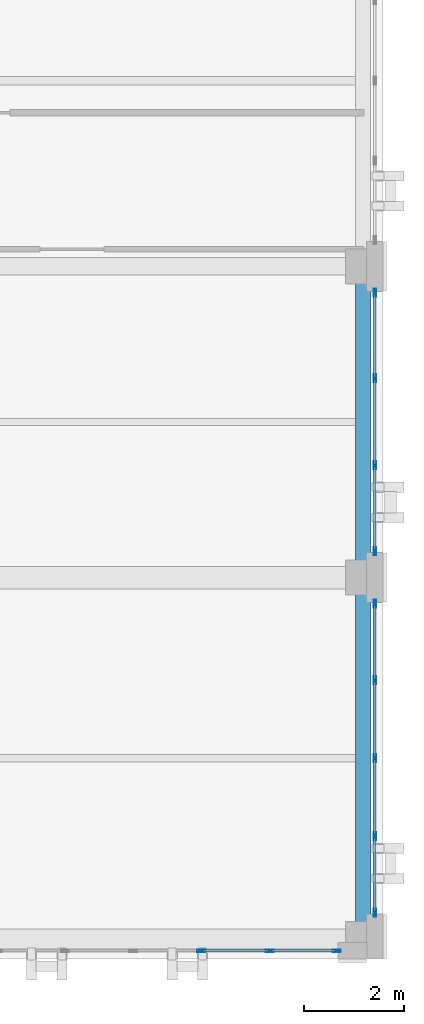
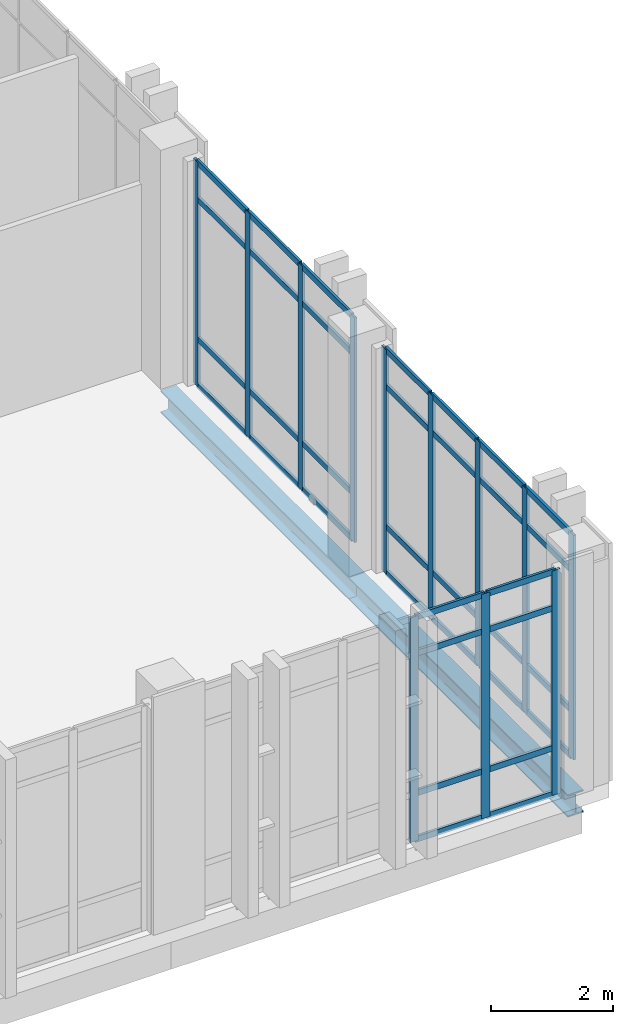
# One storey, part 127 of 189: 48 members, 2 beams, 3 elements without a shape of their own.
"""IFC4 building model written with IfcOpenShell, lengths in metres."""

from ifc_helpers import new_model, si_unit, direction, frame, origin, origin_2d, place, context, subcontext, project, spatial, hollow_rectangle, i_section, extrude, material, layer, layer_set, material_profile, profile_set, type_object, element, aggregate, save


model = new_model("IFC4")

# Units and contexts
model_context = context("Model", 3, precision=1e-05, world=origin(), true_north=direction((0.0, 1.0)))
body_context = subcontext(model_context, "Body", "Model", "MODEL_VIEW")
ifc_project = project(units=[si_unit("LENGTHUNIT", "METRE"), si_unit("AREAUNIT", "SQUARE_METRE"), si_unit("VOLUMEUNIT", "CUBIC_METRE"), si_unit("PLANEANGLEUNIT", "RADIAN"), si_unit("MASSUNIT", "GRAM", prefix="KILO")], contexts=[model_context])

# Site, building, storey
site_placement = place(None, origin())
site = spatial("IfcSite", under=ifc_project, at=site_placement, CompositionType="ELEMENT")
building_placement = place(site_placement, origin())
building = spatial("IfcBuilding", under=site, at=building_placement, Name="Qalavern Law Courts", CompositionType="ELEMENT")
storey_placement = place(building_placement, frame((0.0, 0.0, 5.39990234375)))
storey = spatial("IfcBuildingStorey", under=building, at=storey_placement, Name="L01", CompositionType="ELEMENT", Elevation=5.39990234375)

# Curtain wall, members
ifc_material_1 = material(Name="Anodised aluminium and insulated glazing", Category="aluminium")
ifc_layer = layer(ifc_material_1, 0.172119140625)
ifc_layer_set = layer_set([ifc_layer], Name="Anodised aluminium and insulated glazing")
curtain_wall_type = type_object("IfcCurtainWallType", Name="ENV-CW-COURT", PredefinedType="USERDEFINED", material=ifc_layer_set)
curtain_wall_1_placement = place(storey_placement, origin())
curtain_wall_1 = element("IfcCurtainWall", 1, at=curtain_wall_1_placement, inside=storey, type_object=curtain_wall_type, Name="V6 unitised curtain wall L01 south 7", ObjectType="UNITISED CURTAIN WALL", PredefinedType="USERDEFINED")
ifc_material_2 = material(Name="Anodised aluminium", Category="aluminium")
ifc_material_profile_1 = material_profile(ifc_material_2, hollow_rectangle(XDim=0.048095703125, YDim=0.159912109375, WallThickness=0.00390625, at=origin_2d()), Name="ALU MULLION 48x160")
ifc_profile_set_1 = profile_set([ifc_material_profile_1], Name="Anodised aluminium")
member_type_1 = type_object("IfcMemberType", Name="ENV-CWM-48x160", PredefinedType="MULLION", material=ifc_profile_set_1)
member_1_placement = place(storey_placement, frame((162.3798828125, 1.16259765625, 0.0), z_axis=(0.0, 0.0, 1.0), x_axis=(0.0, 1.0, 0.0)))
member_1 = element("IfcMember", 2, at=member_1_placement, type_object=member_type_1, Name="CW-03 mullion 4", PredefinedType="MULLION", context=body_context, shape_type="SweptSolid", body=[
    extrude(hollow_rectangle(XDim=0.048095703125, YDim=0.159912109375, WallThickness=0.00390625, at=origin_2d()), origin(), (0.0, 0.0, 1.0), 4.510009765625),
])
member_2_placement = place(storey_placement, frame((163.739990234375, 1.16259765625, 0.0), z_axis=(0.0, 0.0, 1.0), x_axis=(0.0, 1.0, 0.0)))
member_2 = element("IfcMember", 3, at=member_2_placement, type_object=member_type_1, Name="CW-03 mullion 5", PredefinedType="MULLION", context=body_context, shape_type="SweptSolid", body=[
    extrude(hollow_rectangle(XDim=0.048095703125, YDim=0.159912109375, WallThickness=0.00390625, at=origin_2d()), origin(), (0.0, 0.0, 1.0), 4.510009765625),
])
member_3_placement = place(storey_placement, frame((165.075927734375, 1.16259765625, 0.0), z_axis=(0.0, 0.0, 1.0), x_axis=(0.0, 1.0, 0.0)))
member_3 = element("IfcMember", 4, at=member_3_placement, type_object=member_type_1, Name="CW-03 mullion 6", PredefinedType="MULLION", context=body_context, shape_type="SweptSolid", body=[
    extrude(hollow_rectangle(XDim=0.048095703125, YDim=0.159912109375, WallThickness=0.00390625, at=origin_2d()), origin(), (0.0, 0.0, 1.0), 4.510009765625),
])

curtain_wall_2_placement = place(storey_placement, origin())
curtain_wall_2 = element("IfcCurtainWall", 5, at=curtain_wall_2_placement, inside=storey, type_object=curtain_wall_type, Name="V6 unitised curtain wall L01 east 1", ObjectType="UNITISED CURTAIN WALL", PredefinedType="USERDEFINED")
member_4_placement = place(storey_placement, frame((165.83740234375, 1.924072265625, 0.0), z_axis=(0.0, 0.0, 1.0), x_axis=(-1.0, 0.0, 0.0)))
member_4 = element("IfcMember", 6, at=member_4_placement, type_object=member_type_1, Name="CW-03 mullion 1", PredefinedType="MULLION", context=body_context, shape_type="SweptSolid", body=[
    extrude(hollow_rectangle(XDim=0.048095703125, YDim=0.159912109375, WallThickness=0.00390625, at=origin_2d()), origin(), (0.0, 0.0, 1.0), 4.510009765625),
])
member_5_placement = place(storey_placement, frame((165.83740234375, 3.449951171875, 0.0), z_axis=(0.0, 0.0, 1.0), x_axis=(-1.0, 0.0, 0.0)))
member_5 = element("IfcMember", 7, at=member_5_placement, type_object=member_type_1, Name="CW-03 mullion 2", PredefinedType="MULLION", context=body_context, shape_type="SweptSolid", body=[
    extrude(hollow_rectangle(XDim=0.048095703125, YDim=0.159912109375, WallThickness=0.00390625, at=origin_2d()), origin(), (0.0, 0.0, 1.0), 4.510009765625),
])
member_6_placement = place(storey_placement, frame((165.83740234375, 5.0, 0.0), z_axis=(0.0, 0.0, 1.0), x_axis=(-1.0, 0.0, 0.0)))
member_6 = element("IfcMember", 8, at=member_6_placement, type_object=member_type_1, Name="CW-03 mullion 3", PredefinedType="MULLION", context=body_context, shape_type="SweptSolid", body=[
    extrude(hollow_rectangle(XDim=0.048095703125, YDim=0.159912109375, WallThickness=0.00390625, at=origin_2d()), origin(), (0.0, 0.0, 1.0), 4.510009765625),
])
member_7_placement = place(storey_placement, frame((165.83740234375, 6.550048828125, 0.0), z_axis=(0.0, 0.0, 1.0), x_axis=(-1.0, 0.0, 0.0)))
member_7 = element("IfcMember", 9, at=member_7_placement, type_object=member_type_1, Name="CW-03 mullion 4", PredefinedType="MULLION", context=body_context, shape_type="SweptSolid", body=[
    extrude(hollow_rectangle(XDim=0.048095703125, YDim=0.159912109375, WallThickness=0.00390625, at=origin_2d()), origin(), (0.0, 0.0, 1.0), 4.510009765625),
])
member_8_placement = place(storey_placement, frame((165.83740234375, 8.075927734375, 0.0), z_axis=(0.0, 0.0, 1.0), x_axis=(-1.0, 0.0, 0.0)))
member_8 = element("IfcMember", 10, at=member_8_placement, type_object=member_type_1, Name="CW-03 mullion 5", PredefinedType="MULLION", context=body_context, shape_type="SweptSolid", body=[
    extrude(hollow_rectangle(XDim=0.048095703125, YDim=0.159912109375, WallThickness=0.00390625, at=origin_2d()), origin(), (0.0, 0.0, 1.0), 4.510009765625),
])

curtain_wall_3_placement = place(storey_placement, origin())
curtain_wall_3 = element("IfcCurtainWall", 11, at=curtain_wall_3_placement, inside=storey, type_object=curtain_wall_type, Name="V6 unitised curtain wall L01 east 2", ObjectType="UNITISED CURTAIN WALL", PredefinedType="USERDEFINED")
member_9_placement = place(storey_placement, frame((165.83740234375, 9.1240234375, 0.0), z_axis=(0.0, 0.0, 1.0), x_axis=(-1.0, 0.0, 0.0)))
member_9 = element("IfcMember", 12, at=member_9_placement, type_object=member_type_1, Name="CW-03 mullion 1", PredefinedType="MULLION", context=body_context, shape_type="SweptSolid", body=[
    extrude(hollow_rectangle(XDim=0.048095703125, YDim=0.159912109375, WallThickness=0.00390625, at=origin_2d()), origin(), (0.0, 0.0, 1.0), 4.510009765625),
])
member_10_placement = place(storey_placement, frame((165.83740234375, 10.833251953125, 0.0), z_axis=(0.0, 0.0, 1.0), x_axis=(-1.0, 0.0, 0.0)))
member_10 = element("IfcMember", 13, at=member_10_placement, type_object=member_type_1, Name="CW-03 mullion 2", PredefinedType="MULLION", context=body_context, shape_type="SweptSolid", body=[
    extrude(hollow_rectangle(XDim=0.048095703125, YDim=0.159912109375, WallThickness=0.00390625, at=origin_2d()), origin(), (0.0, 0.0, 1.0), 4.510009765625),
])
member_11_placement = place(storey_placement, frame((165.83740234375, 12.566650390625, 0.0), z_axis=(0.0, 0.0, 1.0), x_axis=(-1.0, 0.0, 0.0)))
member_11 = element("IfcMember", 14, at=member_11_placement, type_object=member_type_1, Name="CW-03 mullion 3", PredefinedType="MULLION", context=body_context, shape_type="SweptSolid", body=[
    extrude(hollow_rectangle(XDim=0.048095703125, YDim=0.159912109375, WallThickness=0.00390625, at=origin_2d()), origin(), (0.0, 0.0, 1.0), 4.510009765625),
])
member_12_placement = place(storey_placement, frame((165.83740234375, 14.27587890625, 0.0), z_axis=(0.0, 0.0, 1.0), x_axis=(-1.0, 0.0, 0.0)))
member_12 = element("IfcMember", 15, at=member_12_placement, type_object=member_type_1, Name="CW-03 mullion 4", PredefinedType="MULLION", context=body_context, shape_type="SweptSolid", body=[
    extrude(hollow_rectangle(XDim=0.048095703125, YDim=0.159912109375, WallThickness=0.00390625, at=origin_2d()), origin(), (0.0, 0.0, 1.0), 4.510009765625),
])

# Member
ifc_material_profile_2 = material_profile(ifc_material_2, hollow_rectangle(XDim=0.048095703125, YDim=0.1201171875, WallThickness=0.00390625, at=origin_2d()), Name="ALU TRANSOM 48x120")
ifc_profile_set_2 = profile_set([ifc_material_profile_2], Name="Anodised aluminium")
member_type_2 = type_object("IfcMemberType", Name="ENV-CWT-48x120", PredefinedType="USERDEFINED", material=ifc_profile_set_2)
member_13_placement = place(storey_placement, frame((162.404052734375, 1.16259765625, 0.024169921875), z_axis=(1.0, 0.0, 0.0), x_axis=(0.0, 1.0, 0.0)))
member_13 = element("IfcMember", 16, at=member_13_placement, type_object=member_type_2, Name="CW-03 transom 4.1", ObjectType="TRANSOM", PredefinedType="USERDEFINED", context=body_context, shape_type="SweptSolid", body=[
    extrude(hollow_rectangle(XDim=0.048095703125, YDim=0.1201171875, WallThickness=0.00390625, at=origin_2d()), origin(), (0.0, 0.0, 1.0), 1.31201171875),
])

member_14_placement = place(storey_placement, frame((162.404052734375, 1.16259765625, 0.9501953125), z_axis=(1.0, 0.0, 0.0), x_axis=(0.0, 1.0, 0.0)))
member_14 = element("IfcMember", 17, at=member_14_placement, type_object=member_type_2, Name="CW-03 transom 4.2", ObjectType="TRANSOM", PredefinedType="USERDEFINED", context=body_context, shape_type="SweptSolid", body=[
    extrude(hollow_rectangle(XDim=0.048095703125, YDim=0.1201171875, WallThickness=0.00390625, at=origin_2d()), origin(), (0.0, 0.0, 1.0), 1.31201171875),
])

member_15_placement = place(storey_placement, frame((162.404052734375, 1.16259765625, 3.760009765625), z_axis=(1.0, 0.0, 0.0), x_axis=(0.0, 1.0, 0.0)))
member_15 = element("IfcMember", 18, at=member_15_placement, type_object=member_type_2, Name="CW-03 transom 4.3", ObjectType="TRANSOM", PredefinedType="USERDEFINED", context=body_context, shape_type="SweptSolid", body=[
    extrude(hollow_rectangle(XDim=0.048095703125, YDim=0.1201171875, WallThickness=0.00390625, at=origin_2d()), origin(), (0.0, 0.0, 1.0), 1.31201171875),
])

member_16_placement = place(storey_placement, frame((162.404052734375, 1.16259765625, 4.486083984375), z_axis=(1.0, 0.0, 0.0), x_axis=(0.0, 1.0, 0.0)))
member_16 = element("IfcMember", 19, at=member_16_placement, type_object=member_type_2, Name="CW-03 transom 4.4", ObjectType="TRANSOM", PredefinedType="USERDEFINED", context=body_context, shape_type="SweptSolid", body=[
    extrude(hollow_rectangle(XDim=0.048095703125, YDim=0.1201171875, WallThickness=0.00390625, at=origin_2d()), origin(), (0.0, 0.0, 1.0), 1.31201171875),
])

member_17_placement = place(storey_placement, frame((163.763916015625, 1.16259765625, 0.024169921875), z_axis=(1.0, 0.0, 0.0), x_axis=(0.0, 1.0, 0.0)))
member_17 = element("IfcMember", 20, at=member_17_placement, type_object=member_type_2, Name="CW-03 transom 5.1", ObjectType="TRANSOM", PredefinedType="USERDEFINED", context=body_context, shape_type="SweptSolid", body=[
    extrude(hollow_rectangle(XDim=0.048095703125, YDim=0.1201171875, WallThickness=0.00390625, at=origin_2d()), origin(), (0.0, 0.0, 1.0), 1.2880859375),
])

member_18_placement = place(storey_placement, frame((163.763916015625, 1.16259765625, 0.9501953125), z_axis=(1.0, 0.0, 0.0), x_axis=(0.0, 1.0, 0.0)))
member_18 = element("IfcMember", 21, at=member_18_placement, type_object=member_type_2, Name="CW-03 transom 5.2", ObjectType="TRANSOM", PredefinedType="USERDEFINED", context=body_context, shape_type="SweptSolid", body=[
    extrude(hollow_rectangle(XDim=0.048095703125, YDim=0.1201171875, WallThickness=0.00390625, at=origin_2d()), origin(), (0.0, 0.0, 1.0), 1.2880859375),
])

member_19_placement = place(storey_placement, frame((163.763916015625, 1.16259765625, 3.760009765625), z_axis=(1.0, 0.0, 0.0), x_axis=(0.0, 1.0, 0.0)))
member_19 = element("IfcMember", 22, at=member_19_placement, type_object=member_type_2, Name="CW-03 transom 5.3", ObjectType="TRANSOM", PredefinedType="USERDEFINED", context=body_context, shape_type="SweptSolid", body=[
    extrude(hollow_rectangle(XDim=0.048095703125, YDim=0.1201171875, WallThickness=0.00390625, at=origin_2d()), origin(), (0.0, 0.0, 1.0), 1.2880859375),
])

member_20_placement = place(storey_placement, frame((163.763916015625, 1.16259765625, 4.486083984375), z_axis=(1.0, 0.0, 0.0), x_axis=(0.0, 1.0, 0.0)))
member_20 = element("IfcMember", 23, at=member_20_placement, type_object=member_type_2, Name="CW-03 transom 5.4", ObjectType="TRANSOM", PredefinedType="USERDEFINED", context=body_context, shape_type="SweptSolid", body=[
    extrude(hollow_rectangle(XDim=0.048095703125, YDim=0.1201171875, WallThickness=0.00390625, at=origin_2d()), origin(), (0.0, 0.0, 1.0), 1.2880859375),
])

aggregate(curtain_wall_1, [member_1, member_2, member_3, member_13, member_14, member_15, member_16, member_17, member_18, member_19, member_20])

member_21_placement = place(storey_placement, frame((165.83740234375, 1.947998046875, 0.024169921875), z_axis=(0.0, 1.0, 0.0), x_axis=(-1.0, 0.0, 0.0)))
member_21 = element("IfcMember", 24, at=member_21_placement, type_object=member_type_2, Name="CW-03 transom 1.1", ObjectType="TRANSOM", PredefinedType="USERDEFINED", context=body_context, shape_type="SweptSolid", body=[
    extrude(hollow_rectangle(XDim=0.048095703125, YDim=0.1201171875, WallThickness=0.00390625, at=origin_2d()), origin(), (0.0, 0.0, 1.0), 1.47802734375),
])

member_22_placement = place(storey_placement, frame((165.83740234375, 1.947998046875, 0.9501953125), z_axis=(0.0, 1.0, 0.0), x_axis=(-1.0, 0.0, 0.0)))
member_22 = element("IfcMember", 25, at=member_22_placement, type_object=member_type_2, Name="CW-03 transom 1.2", ObjectType="TRANSOM", PredefinedType="USERDEFINED", context=body_context, shape_type="SweptSolid", body=[
    extrude(hollow_rectangle(XDim=0.048095703125, YDim=0.1201171875, WallThickness=0.00390625, at=origin_2d()), origin(), (0.0, 0.0, 1.0), 1.47802734375),
])

member_23_placement = place(storey_placement, frame((165.83740234375, 1.947998046875, 3.760009765625), z_axis=(0.0, 1.0, 0.0), x_axis=(-1.0, 0.0, 0.0)))
member_23 = element("IfcMember", 26, at=member_23_placement, type_object=member_type_2, Name="CW-03 transom 1.3", ObjectType="TRANSOM", PredefinedType="USERDEFINED", context=body_context, shape_type="SweptSolid", body=[
    extrude(hollow_rectangle(XDim=0.048095703125, YDim=0.1201171875, WallThickness=0.00390625, at=origin_2d()), origin(), (0.0, 0.0, 1.0), 1.47802734375),
])

member_24_placement = place(storey_placement, frame((165.83740234375, 1.947998046875, 4.486083984375), z_axis=(0.0, 1.0, 0.0), x_axis=(-1.0, 0.0, 0.0)))
member_24 = element("IfcMember", 27, at=member_24_placement, type_object=member_type_2, Name="CW-03 transom 1.4", ObjectType="TRANSOM", PredefinedType="USERDEFINED", context=body_context, shape_type="SweptSolid", body=[
    extrude(hollow_rectangle(XDim=0.048095703125, YDim=0.1201171875, WallThickness=0.00390625, at=origin_2d()), origin(), (0.0, 0.0, 1.0), 1.47802734375),
])

member_25_placement = place(storey_placement, frame((165.83740234375, 3.47412109375, 0.024169921875), z_axis=(0.0, 1.0, 0.0), x_axis=(-1.0, 0.0, 0.0)))
member_25 = element("IfcMember", 28, at=member_25_placement, type_object=member_type_2, Name="CW-03 transom 2.1", ObjectType="TRANSOM", PredefinedType="USERDEFINED", context=body_context, shape_type="SweptSolid", body=[
    extrude(hollow_rectangle(XDim=0.048095703125, YDim=0.1201171875, WallThickness=0.00390625, at=origin_2d()), origin(), (0.0, 0.0, 1.0), 1.501953125),
])

member_26_placement = place(storey_placement, frame((165.83740234375, 3.47412109375, 0.9501953125), z_axis=(0.0, 1.0, 0.0), x_axis=(-1.0, 0.0, 0.0)))
member_26 = element("IfcMember", 29, at=member_26_placement, type_object=member_type_2, Name="CW-03 transom 2.2", ObjectType="TRANSOM", PredefinedType="USERDEFINED", context=body_context, shape_type="SweptSolid", body=[
    extrude(hollow_rectangle(XDim=0.048095703125, YDim=0.1201171875, WallThickness=0.00390625, at=origin_2d()), origin(), (0.0, 0.0, 1.0), 1.501953125),
])

member_27_placement = place(storey_placement, frame((165.83740234375, 3.47412109375, 3.760009765625), z_axis=(0.0, 1.0, 0.0), x_axis=(-1.0, 0.0, 0.0)))
member_27 = element("IfcMember", 30, at=member_27_placement, type_object=member_type_2, Name="CW-03 transom 2.3", ObjectType="TRANSOM", PredefinedType="USERDEFINED", context=body_context, shape_type="SweptSolid", body=[
    extrude(hollow_rectangle(XDim=0.048095703125, YDim=0.1201171875, WallThickness=0.00390625, at=origin_2d()), origin(), (0.0, 0.0, 1.0), 1.501953125),
])

member_28_placement = place(storey_placement, frame((165.83740234375, 3.47412109375, 4.486083984375), z_axis=(0.0, 1.0, 0.0), x_axis=(-1.0, 0.0, 0.0)))
member_28 = element("IfcMember", 31, at=member_28_placement, type_object=member_type_2, Name="CW-03 transom 2.4", ObjectType="TRANSOM", PredefinedType="USERDEFINED", context=body_context, shape_type="SweptSolid", body=[
    extrude(hollow_rectangle(XDim=0.048095703125, YDim=0.1201171875, WallThickness=0.00390625, at=origin_2d()), origin(), (0.0, 0.0, 1.0), 1.501953125),
])

member_29_placement = place(storey_placement, frame((165.83740234375, 5.02392578125, 0.024169921875), z_axis=(0.0, 1.0, 0.0), x_axis=(-1.0, 0.0, 0.0)))
member_29 = element("IfcMember", 32, at=member_29_placement, type_object=member_type_2, Name="CW-03 transom 3.1", ObjectType="TRANSOM", PredefinedType="USERDEFINED", context=body_context, shape_type="SweptSolid", body=[
    extrude(hollow_rectangle(XDim=0.048095703125, YDim=0.1201171875, WallThickness=0.00390625, at=origin_2d()), origin(), (0.0, 0.0, 1.0), 1.501953125),
])

member_30_placement = place(storey_placement, frame((165.83740234375, 5.02392578125, 0.9501953125), z_axis=(0.0, 1.0, 0.0), x_axis=(-1.0, 0.0, 0.0)))
member_30 = element("IfcMember", 33, at=member_30_placement, type_object=member_type_2, Name="CW-03 transom 3.2", ObjectType="TRANSOM", PredefinedType="USERDEFINED", context=body_context, shape_type="SweptSolid", body=[
    extrude(hollow_rectangle(XDim=0.048095703125, YDim=0.1201171875, WallThickness=0.00390625, at=origin_2d()), origin(), (0.0, 0.0, 1.0), 1.501953125),
])

member_31_placement = place(storey_placement, frame((165.83740234375, 5.02392578125, 3.760009765625), z_axis=(0.0, 1.0, 0.0), x_axis=(-1.0, 0.0, 0.0)))
member_31 = element("IfcMember", 34, at=member_31_placement, type_object=member_type_2, Name="CW-03 transom 3.3", ObjectType="TRANSOM", PredefinedType="USERDEFINED", context=body_context, shape_type="SweptSolid", body=[
    extrude(hollow_rectangle(XDim=0.048095703125, YDim=0.1201171875, WallThickness=0.00390625, at=origin_2d()), origin(), (0.0, 0.0, 1.0), 1.501953125),
])

member_32_placement = place(storey_placement, frame((165.83740234375, 5.02392578125, 4.486083984375), z_axis=(0.0, 1.0, 0.0), x_axis=(-1.0, 0.0, 0.0)))
member_32 = element("IfcMember", 35, at=member_32_placement, type_object=member_type_2, Name="CW-03 transom 3.4", ObjectType="TRANSOM", PredefinedType="USERDEFINED", context=body_context, shape_type="SweptSolid", body=[
    extrude(hollow_rectangle(XDim=0.048095703125, YDim=0.1201171875, WallThickness=0.00390625, at=origin_2d()), origin(), (0.0, 0.0, 1.0), 1.501953125),
])

member_33_placement = place(storey_placement, frame((165.83740234375, 6.573974609375, 0.024169921875), z_axis=(0.0, 1.0, 0.0), x_axis=(-1.0, 0.0, 0.0)))
member_33 = element("IfcMember", 36, at=member_33_placement, type_object=member_type_2, Name="CW-03 transom 4.1", ObjectType="TRANSOM", PredefinedType="USERDEFINED", context=body_context, shape_type="SweptSolid", body=[
    extrude(hollow_rectangle(XDim=0.048095703125, YDim=0.1201171875, WallThickness=0.00390625, at=origin_2d()), origin(), (0.0, 0.0, 1.0), 1.47802734375),
])

member_34_placement = place(storey_placement, frame((165.83740234375, 6.573974609375, 0.9501953125), z_axis=(0.0, 1.0, 0.0), x_axis=(-1.0, 0.0, 0.0)))
member_34 = element("IfcMember", 37, at=member_34_placement, type_object=member_type_2, Name="CW-03 transom 4.2", ObjectType="TRANSOM", PredefinedType="USERDEFINED", context=body_context, shape_type="SweptSolid", body=[
    extrude(hollow_rectangle(XDim=0.048095703125, YDim=0.1201171875, WallThickness=0.00390625, at=origin_2d()), origin(), (0.0, 0.0, 1.0), 1.47802734375),
])

member_35_placement = place(storey_placement, frame((165.83740234375, 6.573974609375, 3.760009765625), z_axis=(0.0, 1.0, 0.0), x_axis=(-1.0, 0.0, 0.0)))
member_35 = element("IfcMember", 38, at=member_35_placement, type_object=member_type_2, Name="CW-03 transom 4.3", ObjectType="TRANSOM", PredefinedType="USERDEFINED", context=body_context, shape_type="SweptSolid", body=[
    extrude(hollow_rectangle(XDim=0.048095703125, YDim=0.1201171875, WallThickness=0.00390625, at=origin_2d()), origin(), (0.0, 0.0, 1.0), 1.47802734375),
])

member_36_placement = place(storey_placement, frame((165.83740234375, 6.573974609375, 4.486083984375), z_axis=(0.0, 1.0, 0.0), x_axis=(-1.0, 0.0, 0.0)))
member_36 = element("IfcMember", 39, at=member_36_placement, type_object=member_type_2, Name="CW-03 transom 4.4", ObjectType="TRANSOM", PredefinedType="USERDEFINED", context=body_context, shape_type="SweptSolid", body=[
    extrude(hollow_rectangle(XDim=0.048095703125, YDim=0.1201171875, WallThickness=0.00390625, at=origin_2d()), origin(), (0.0, 0.0, 1.0), 1.47802734375),
])

aggregate(curtain_wall_2, [member_4, member_5, member_6, member_7, member_8, member_21, member_22, member_23, member_24, member_25, member_26, member_27, member_28, member_29, member_30, member_31, member_32, member_33, member_34, member_35, member_36])

member_37_placement = place(storey_placement, frame((165.83740234375, 9.14794921875, 0.024169921875), z_axis=(0.0, 1.0, 0.0), x_axis=(-1.0, 0.0, 0.0)))
member_37 = element("IfcMember", 40, at=member_37_placement, type_object=member_type_2, Name="CW-03 transom 1.1", ObjectType="TRANSOM", PredefinedType="USERDEFINED", context=body_context, shape_type="SweptSolid", body=[
    extrude(hollow_rectangle(XDim=0.048095703125, YDim=0.1201171875, WallThickness=0.00390625, at=origin_2d()), origin(), (0.0, 0.0, 1.0), 1.661376953125),
])

member_38_placement = place(storey_placement, frame((165.83740234375, 9.14794921875, 0.9501953125), z_axis=(0.0, 1.0, 0.0), x_axis=(-1.0, 0.0, 0.0)))
member_38 = element("IfcMember", 41, at=member_38_placement, type_object=member_type_2, Name="CW-03 transom 1.2", ObjectType="TRANSOM", PredefinedType="USERDEFINED", context=body_context, shape_type="SweptSolid", body=[
    extrude(hollow_rectangle(XDim=0.048095703125, YDim=0.1201171875, WallThickness=0.00390625, at=origin_2d()), origin(), (0.0, 0.0, 1.0), 1.661376953125),
])

member_39_placement = place(storey_placement, frame((165.83740234375, 9.14794921875, 3.760009765625), z_axis=(0.0, 1.0, 0.0), x_axis=(-1.0, 0.0, 0.0)))
member_39 = element("IfcMember", 42, at=member_39_placement, type_object=member_type_2, Name="CW-03 transom 1.3", ObjectType="TRANSOM", PredefinedType="USERDEFINED", context=body_context, shape_type="SweptSolid", body=[
    extrude(hollow_rectangle(XDim=0.048095703125, YDim=0.1201171875, WallThickness=0.00390625, at=origin_2d()), origin(), (0.0, 0.0, 1.0), 1.661376953125),
])

member_40_placement = place(storey_placement, frame((165.83740234375, 9.14794921875, 4.486083984375), z_axis=(0.0, 1.0, 0.0), x_axis=(-1.0, 0.0, 0.0)))
member_40 = element("IfcMember", 43, at=member_40_placement, type_object=member_type_2, Name="CW-03 transom 1.4", ObjectType="TRANSOM", PredefinedType="USERDEFINED", context=body_context, shape_type="SweptSolid", body=[
    extrude(hollow_rectangle(XDim=0.048095703125, YDim=0.1201171875, WallThickness=0.00390625, at=origin_2d()), origin(), (0.0, 0.0, 1.0), 1.661376953125),
])

member_41_placement = place(storey_placement, frame((165.83740234375, 10.857421875, 0.024169921875), z_axis=(0.0, 1.0, 0.0), x_axis=(-1.0, 0.0, 0.0)))
member_41 = element("IfcMember", 44, at=member_41_placement, type_object=member_type_2, Name="CW-03 transom 2.1", ObjectType="TRANSOM", PredefinedType="USERDEFINED", context=body_context, shape_type="SweptSolid", body=[
    extrude(hollow_rectangle(XDim=0.048095703125, YDim=0.1201171875, WallThickness=0.00390625, at=origin_2d()), origin(), (0.0, 0.0, 1.0), 1.685302734375),
])

member_42_placement = place(storey_placement, frame((165.83740234375, 10.857421875, 0.9501953125), z_axis=(0.0, 1.0, 0.0), x_axis=(-1.0, 0.0, 0.0)))
member_42 = element("IfcMember", 45, at=member_42_placement, type_object=member_type_2, Name="CW-03 transom 2.2", ObjectType="TRANSOM", PredefinedType="USERDEFINED", context=body_context, shape_type="SweptSolid", body=[
    extrude(hollow_rectangle(XDim=0.048095703125, YDim=0.1201171875, WallThickness=0.00390625, at=origin_2d()), origin(), (0.0, 0.0, 1.0), 1.685302734375),
])

member_43_placement = place(storey_placement, frame((165.83740234375, 10.857421875, 3.760009765625), z_axis=(0.0, 1.0, 0.0), x_axis=(-1.0, 0.0, 0.0)))
member_43 = element("IfcMember", 46, at=member_43_placement, type_object=member_type_2, Name="CW-03 transom 2.3", ObjectType="TRANSOM", PredefinedType="USERDEFINED", context=body_context, shape_type="SweptSolid", body=[
    extrude(hollow_rectangle(XDim=0.048095703125, YDim=0.1201171875, WallThickness=0.00390625, at=origin_2d()), origin(), (0.0, 0.0, 1.0), 1.685302734375),
])

member_44_placement = place(storey_placement, frame((165.83740234375, 10.857421875, 4.486083984375), z_axis=(0.0, 1.0, 0.0), x_axis=(-1.0, 0.0, 0.0)))
member_44 = element("IfcMember", 47, at=member_44_placement, type_object=member_type_2, Name="CW-03 transom 2.4", ObjectType="TRANSOM", PredefinedType="USERDEFINED", context=body_context, shape_type="SweptSolid", body=[
    extrude(hollow_rectangle(XDim=0.048095703125, YDim=0.1201171875, WallThickness=0.00390625, at=origin_2d()), origin(), (0.0, 0.0, 1.0), 1.685302734375),
])

member_45_placement = place(storey_placement, frame((165.83740234375, 12.590576171875, 0.024169921875), z_axis=(0.0, 1.0, 0.0), x_axis=(-1.0, 0.0, 0.0)))
member_45 = element("IfcMember", 48, at=member_45_placement, type_object=member_type_2, Name="CW-03 transom 3.1", ObjectType="TRANSOM", PredefinedType="USERDEFINED", context=body_context, shape_type="SweptSolid", body=[
    extrude(hollow_rectangle(XDim=0.048095703125, YDim=0.1201171875, WallThickness=0.00390625, at=origin_2d()), origin(), (0.0, 0.0, 1.0), 1.661376953125),
])

member_46_placement = place(storey_placement, frame((165.83740234375, 12.590576171875, 0.9501953125), z_axis=(0.0, 1.0, 0.0), x_axis=(-1.0, 0.0, 0.0)))
member_46 = element("IfcMember", 49, at=member_46_placement, type_object=member_type_2, Name="CW-03 transom 3.2", ObjectType="TRANSOM", PredefinedType="USERDEFINED", context=body_context, shape_type="SweptSolid", body=[
    extrude(hollow_rectangle(XDim=0.048095703125, YDim=0.1201171875, WallThickness=0.00390625, at=origin_2d()), origin(), (0.0, 0.0, 1.0), 1.661376953125),
])

member_47_placement = place(storey_placement, frame((165.83740234375, 12.590576171875, 3.760009765625), z_axis=(0.0, 1.0, 0.0), x_axis=(-1.0, 0.0, 0.0)))
member_47 = element("IfcMember", 50, at=member_47_placement, type_object=member_type_2, Name="CW-03 transom 3.3", ObjectType="TRANSOM", PredefinedType="USERDEFINED", context=body_context, shape_type="SweptSolid", body=[
    extrude(hollow_rectangle(XDim=0.048095703125, YDim=0.1201171875, WallThickness=0.00390625, at=origin_2d()), origin(), (0.0, 0.0, 1.0), 1.661376953125),
])

member_48_placement = place(storey_placement, frame((165.83740234375, 12.590576171875, 4.486083984375), z_axis=(0.0, 1.0, 0.0), x_axis=(-1.0, 0.0, 0.0)))
member_48 = element("IfcMember", 51, at=member_48_placement, type_object=member_type_2, Name="CW-03 transom 3.4", ObjectType="TRANSOM", PredefinedType="USERDEFINED", context=body_context, shape_type="SweptSolid", body=[
    extrude(hollow_rectangle(XDim=0.048095703125, YDim=0.1201171875, WallThickness=0.00390625, at=origin_2d()), origin(), (0.0, 0.0, 1.0), 1.661376953125),
])

aggregate(curtain_wall_3, [member_9, member_10, member_11, member_12, member_37, member_38, member_39, member_40, member_41, member_42, member_43, member_44, member_45, member_46, member_47, member_48])

# Beams
ifc_material_3 = material(Name="Steel S355", Category="steel")
ifc_material_profile_3 = material_profile(ifc_material_3, i_section(OverallWidth=0.300048828125, OverallDepth=0.449951171875, WebThickness=0.013916015625, FlangeThickness=0.02587890625, FilletRadius=0.027099609375, at=origin_2d()), Name="HEB 450")
ifc_profile_set_3 = profile_set([ifc_material_profile_3], Name="Steel S355")
beam_type = type_object("IfcBeamType", Name="STR-SP-HEB450", PredefinedType="SPANDREL", material=ifc_profile_set_3)
beam_1_placement = place(storey_placement, frame((165.60009765625, 1.39990234375, -0.52490234375), z_axis=(0.0, 1.0, 0.0), x_axis=(-1.0, 0.0, 0.0)))
element("IfcBeam", 52, at=beam_1_placement, inside=storey, type_object=beam_type, Name="V6 Y-beam 9-1 L01", PredefinedType="SPANDREL", context=body_context, shape_type="SweptSolid", body=[
    extrude(i_section(OverallWidth=0.300048828125, OverallDepth=0.449951171875, WebThickness=0.013916015625, FlangeThickness=0.02587890625, FilletRadius=0.027099609375, at=origin_2d()), origin(), (0.0, 0.0, 1.0), 7.2001953125),
])
beam_2_placement = place(storey_placement, frame((165.60009765625, 8.60009765625, -0.52490234375), z_axis=(0.0, 1.0, 0.0), x_axis=(-1.0, 0.0, 0.0)))
element("IfcBeam", 53, at=beam_2_placement, inside=storey, type_object=beam_type, Name="V6 Y-beam 9-2 L01", PredefinedType="SPANDREL", context=body_context, shape_type="SweptSolid", body=[
    extrude(i_section(OverallWidth=0.300048828125, OverallDepth=0.449951171875, WebThickness=0.013916015625, FlangeThickness=0.02587890625, FilletRadius=0.027099609375, at=origin_2d()), origin(), (0.0, 0.0, 1.0), 6.199951171875),
])

save(model, "model.ifc")
